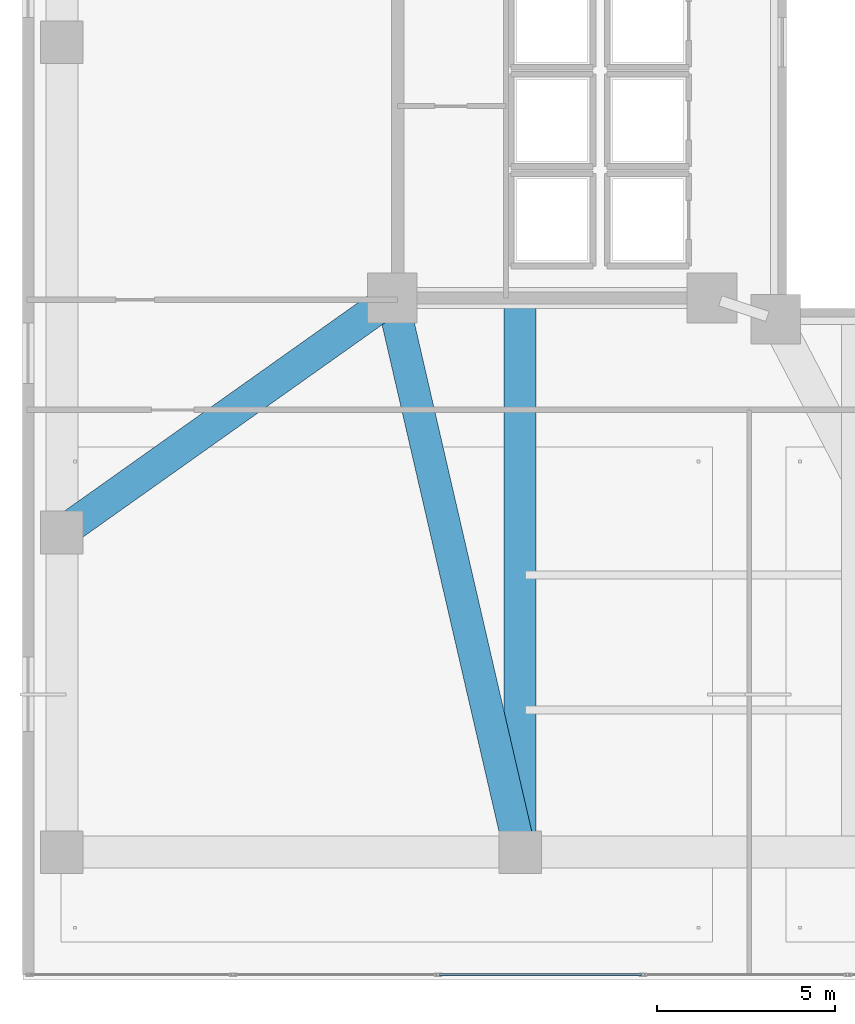
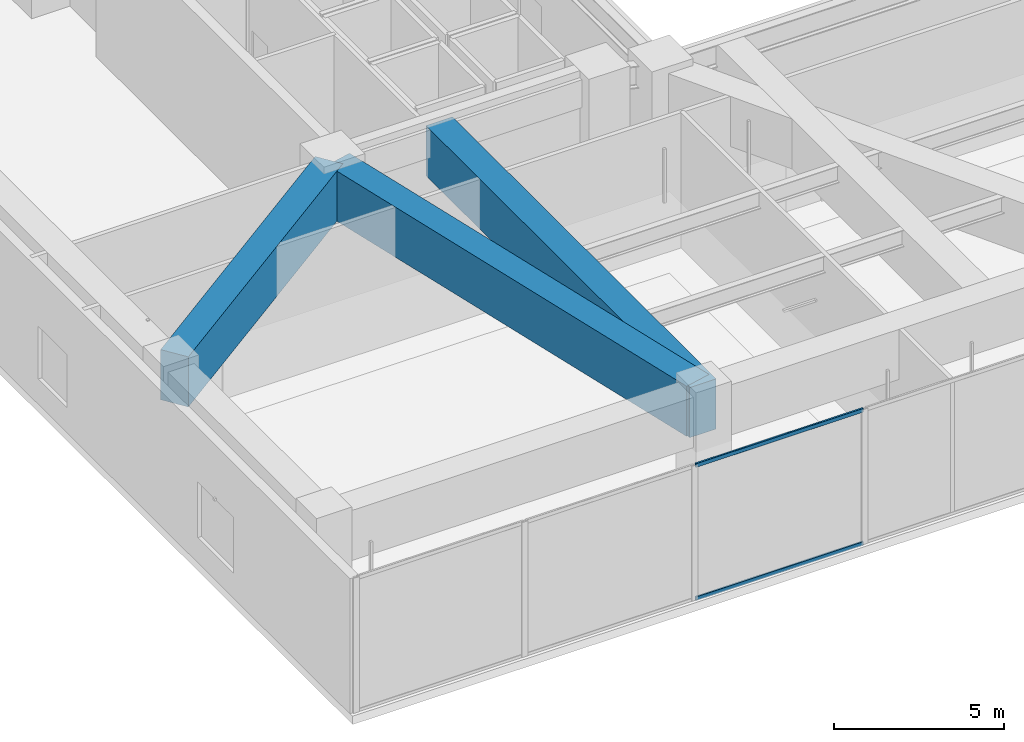
# One storey, part 3 of 21: 3 beams, 2 members, 1 element without a shape of its own.
"""IFC4 building model written with IfcOpenShell, lengths in metres."""

from ifc_helpers import new_model, si_unit, direction, frame, origin, origin_2d, place, context, subcontext, project, spatial, rectangle, hollow_rectangle, extrude, material, layer, layer_set, material_profile, profile_set, type_object, element, aggregate, save


model = new_model("IFC4")

# Units and contexts
model_context = context("Model", 3, precision=1e-05, world=origin(), true_north=direction((0.0, 1.0)))
body_context = subcontext(model_context, "Body", "Model", "MODEL_VIEW")
ifc_project = project(units=[si_unit("LENGTHUNIT", "METRE"), si_unit("AREAUNIT", "SQUARE_METRE"), si_unit("VOLUMEUNIT", "CUBIC_METRE"), si_unit("PLANEANGLEUNIT", "RADIAN"), si_unit("MASSUNIT", "GRAM", prefix="KILO")], contexts=[model_context])

# Site, building, storey
site_placement = place(None, origin())
site = spatial("IfcSite", under=ifc_project, at=site_placement, CompositionType="ELEMENT")
building_placement = place(site_placement, origin())
building = spatial("IfcBuilding", under=site, at=building_placement, Name="Tarnavaz Court Tower", CompositionType="ELEMENT")
storey_placement = place(building_placement, frame((0.0, 0.0, 18.89990234375)))
storey = spatial("IfcBuildingStorey", under=building, at=storey_placement, Name="L04", CompositionType="ELEMENT", Elevation=18.89990234375)

# Beams
ifc_material_1 = material(Name="Concrete C50/60", Category="concrete")
ifc_material_profile_1 = material_profile(ifc_material_1, rectangle(XDim=0.89990234375, YDim=1.800048828125, at=origin_2d()), Name="RC 900X1800")
ifc_profile_set_1 = profile_set([ifc_material_profile_1], Name="Concrete C50/60")
beam_type = type_object("IfcBeamType", Name="BM-TG1800", PredefinedType="USERDEFINED", material=ifc_profile_set_1)
beam_1_placement = place(storey_placement, frame((-18.543701171875, -7.443603515625, 3.9501953125), z_axis=(0.224858357084, -0.97439146099, 0.0), x_axis=(0.97439146099, 0.224858357084, 0.0)))
element("IfcBeam", 1, at=beam_1_placement, inside=storey, type_object=beam_type, Name="L04 Beam PM-CW-SO-PM-S1", ObjectType="GIRDER", PredefinedType="USERDEFINED", context=body_context, shape_type="SweptSolid", body=[
    extrude(rectangle(XDim=0.89990234375, YDim=1.800048828125, at=origin_2d()), origin(), (0.0, 0.0, 1.0), 15.510009765625),
])
beam_2_placement = place(storey_placement, frame((-18.803955078125, -7.3447265625, 3.9501953125), z_axis=(-0.815505781161, -0.578748927336, 0.0), x_axis=(0.578748927336, -0.815505781161, 0.0)))
element("IfcBeam", 2, at=beam_2_placement, inside=storey, type_object=beam_type, Name="L04 Beam PM-CW-SO-PM-W1", ObjectType="GIRDER", PredefinedType="USERDEFINED", context=body_context, shape_type="SweptSolid", body=[
    extrude(rectangle(XDim=0.89990234375, YDim=1.800048828125, at=origin_2d()), origin(), (0.0, 0.0, 1.0), 10.90380859375),
])
beam_3_placement = place(storey_placement, frame((-15.0, -7.239990234375, 3.9501953125), z_axis=(0.0, -1.0, 0.0), x_axis=(1.0, 0.0, 0.0)))
element("IfcBeam", 3, at=beam_3_placement, inside=storey, type_object=beam_type, Name="L04 Beam PM-NS-SW", ObjectType="GIRDER", PredefinedType="USERDEFINED", context=body_context, shape_type="SweptSolid", body=[
    extrude(rectangle(XDim=0.89990234375, YDim=1.800048828125, at=origin_2d()), origin(), (0.0, 0.0, 1.0), 15.52001953125),
])

# Curtain wall, members
ifc_material_2 = material(Name="Anodised Aluminium 6063-T6 and Solar Low-E Glazing", Category="aluminium")
ifc_layer = layer(ifc_material_2, 0.18994140625)
ifc_layer_set = layer_set([ifc_layer], Name="Anodised Aluminium 6063-T6 and Solar Low-E Glazing")
curtain_wall_type = type_object("IfcCurtainWallType", Name="CW-SYS-01", PredefinedType="NOTDEFINED", material=ifc_layer_set)
curtain_wall_placement = place(storey_placement, origin())
curtain_wall = element("IfcCurtainWall", 4, at=curtain_wall_placement, inside=storey, type_object=curtain_wall_type, Name="L04 Clinic South Curtain Wall 3", PredefinedType="NOTDEFINED")
ifc_material_3 = material(Name="Anodised Aluminium 6063-T6", Category="aluminium")
ifc_material_profile_2 = material_profile(ifc_material_3, hollow_rectangle(XDim=0.06494140625, YDim=0.139892578125, WallThickness=0.00390625, InnerFilletRadius=0.00390625, OuterFilletRadius=0.008056640625, at=origin_2d()), Name="ALU RHS 140X65X4")
ifc_profile_set_2 = profile_set([ifc_material_profile_2], Name="Anodised Aluminium 6063-T6")
member_type = type_object("IfcMemberType", Name="CW-TRN-140", PredefinedType="USERDEFINED", material=ifc_profile_set_2)
member_1_placement = place(storey_placement, frame((-11.58251953125, -26.25, 0.03271484375), z_axis=(-1.0, 0.0, 0.0), x_axis=(0.0, -1.0, 0.0)))
member_1 = element("IfcMember", 5, at=member_1_placement, type_object=member_type, Name="CW transom 8.1", ObjectType="TRANSOM", PredefinedType="USERDEFINED", context=body_context, shape_type="SweptSolid", body=[
    extrude(hollow_rectangle(XDim=0.06494140625, YDim=0.139892578125, WallThickness=0.00390625, InnerFilletRadius=0.00390625, OuterFilletRadius=0.008056640625, at=origin_2d()), origin(), (0.0, 0.0, 1.0), 5.68505859375),
])
member_2_placement = place(storey_placement, frame((-11.58251953125, -26.25, 4.817626953125), z_axis=(-1.0, 0.0, 0.0), x_axis=(0.0, -1.0, 0.0)))
member_2 = element("IfcMember", 6, at=member_2_placement, type_object=member_type, Name="CW transom 8.2", ObjectType="TRANSOM", PredefinedType="USERDEFINED", context=body_context, shape_type="SweptSolid", body=[
    extrude(hollow_rectangle(XDim=0.06494140625, YDim=0.139892578125, WallThickness=0.00390625, InnerFilletRadius=0.00390625, OuterFilletRadius=0.008056640625, at=origin_2d()), origin(), (0.0, 0.0, 1.0), 5.68505859375),
])
aggregate(curtain_wall, [member_1, member_2])

save(model, "model.ifc")
